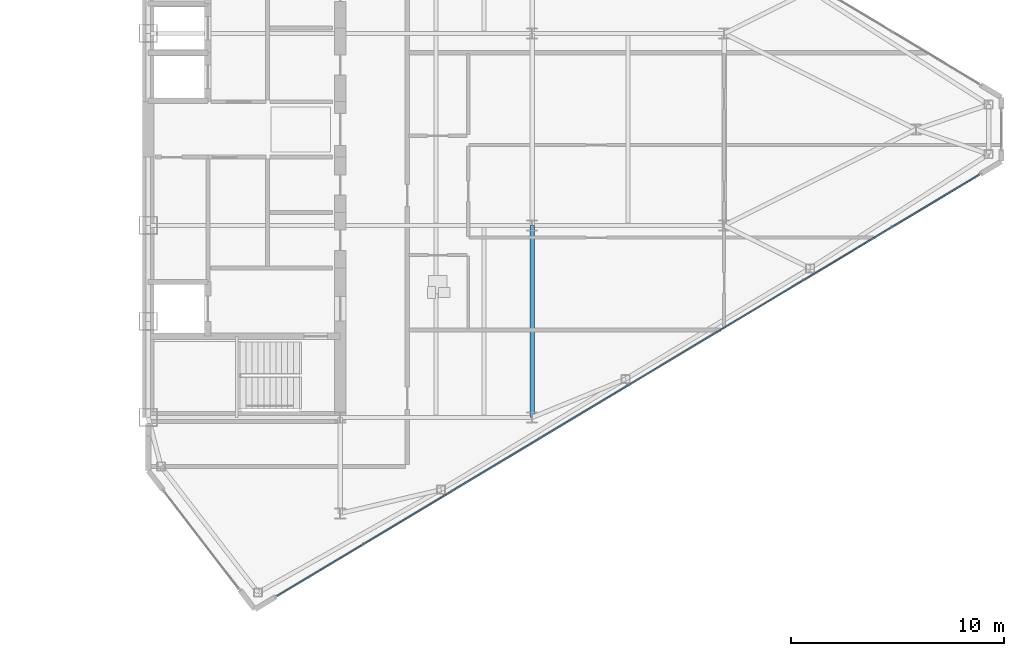
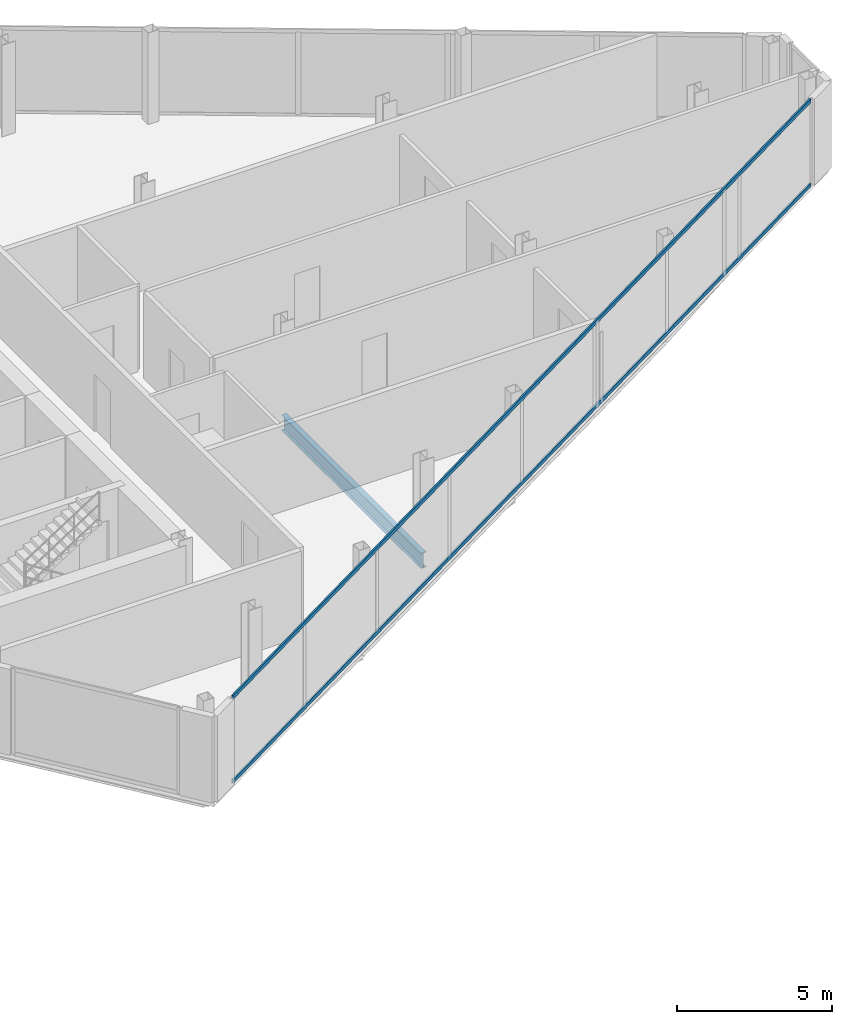
# One storey, part 12 of 25: 2 members, 1 beam, 1 element without a shape of its own.
"""IFC4 building model written with IfcOpenShell, lengths in metres."""

from ifc_helpers import new_model, si_unit, direction, frame, origin, origin_2d, place, context, subcontext, project, spatial, rectangle, i_section, extrude, source, transform, mapped, material, layer, layer_set, material_profile, profile_set, type_object, type_shapes, element, aggregate, save


model = new_model("IFC4")

# Units and contexts
model_context = context("Model", 3, precision=1e-05, world=origin(), true_north=direction((0.0, 1.0)))
body_context = subcontext(model_context, "Body", "Model", "MODEL_VIEW")
ifc_project = project(units=[si_unit("LENGTHUNIT", "METRE"), si_unit("AREAUNIT", "SQUARE_METRE"), si_unit("VOLUMEUNIT", "CUBIC_METRE"), si_unit("PLANEANGLEUNIT", "RADIAN"), si_unit("MASSUNIT", "GRAM", prefix="KILO")], contexts=[model_context])

# Site, building, storey
site_placement = place(None, origin())
site = spatial("IfcSite", under=ifc_project, at=site_placement, CompositionType="ELEMENT")
building_placement = place(site_placement, origin())
building = spatial("IfcBuilding", under=site, at=building_placement, Name="Seokmaru Belvedere", CompositionType="ELEMENT")
storey_placement = place(building_placement, frame((0.0, 0.0, 206.699951171875)))
storey = spatial("IfcBuildingStorey", under=building, at=storey_placement, Name="L55", CompositionType="ELEMENT", Elevation=206.699951171875)

# Beam
ifc_material_1 = material(Name="Steel SM355 (355 MPa)", Category="steel")
ifc_material_profile_1 = material_profile(ifc_material_1, i_section(OverallWidth=0.199951171875, OverallDepth=0.60009765625, WebThickness=0.010986328125, FlangeThickness=0.01708984375, at=origin_2d()), Name="H-600x200x11x17")
ifc_profile_set_1 = profile_set([ifc_material_profile_1], Name="Steel SM355 (355 MPa)")
beam_type = type_object("IfcBeamType", Name="Primary Floor Girder H-600", PredefinedType="BEAM", material=ifc_profile_set_1)
shared_shape_1 = source(origin(), body_context, "Body", "SweptSolid", [
    extrude(i_section(OverallWidth=0.199951171875, OverallDepth=0.60009765625, WebThickness=0.010986328125, FlangeThickness=0.01708984375, at=origin_2d()), origin(), (0.0, 0.0, 1.0), 9.0),
])
type_shapes(beam_type, [shared_shape_1])
beam_placement = place(storey_placement, frame((45.5, -13.5, -0.52001953125), z_axis=(0.0, 1.0, 0.0), x_axis=(-1.0, 0.0, 0.0)))
element("IfcBeam", 1, at=beam_placement, inside=storey, type_object=beam_type, Name="L55 E Interior Grid Girder 1", PredefinedType="BEAM", context=body_context, shape_type="MappedRepresentation", body=[
    mapped(shared_shape_1, transform((0.0, 0.0, 0.0), scale=1.0)),
])

# Curtain wall, members
ifc_material_2 = material(Name="Bronze Triple Insulating Glass", Category="glass")
ifc_layer = layer(ifc_material_2, 0.179931640625)
ifc_layer_set = layer_set([ifc_layer], Name="Bronze Triple Insulating Glass")
curtain_wall_type = type_object("IfcCurtainWallType", Name="High-Rise Wind-Corner Curtain Wall System CW-5", PredefinedType="NOTDEFINED", material=ifc_layer_set)
curtain_wall_placement = place(storey_placement, origin())
curtain_wall = element("IfcCurtainWall", 2, at=curtain_wall_placement, inside=storey, type_object=curtain_wall_type, Name="L55 Curtain Wall EF1", PredefinedType="NOTDEFINED")
ifc_material_3 = material(Name="Anodised Bronze Aluminium", Category="aluminium")
ifc_material_profile_2 = material_profile(ifc_material_3, rectangle(XDim=0.06494140625, YDim=0.14990234375, at=origin_2d()), Name="CW-T-65x150")
ifc_profile_set_2 = profile_set([ifc_material_profile_2], Name="Anodised Bronze Aluminium")
member_type = type_object("IfcMemberType", Name="Bronze Unitised Transom 65x150", PredefinedType="USERDEFINED", material=ifc_profile_set_2)
shared_shape_2 = source(origin(), body_context, "Body", "SweptSolid", [
    extrude(rectangle(XDim=0.06494140625, YDim=0.14990234375, at=origin_2d()), origin(), (0.0, 0.0, 1.0), 38.386962890625),
])
type_shapes(member_type, [shared_shape_2])
member_1_placement = place(storey_placement, frame((33.541748046875, -21.875, 0.032470703125), z_axis=(0.85749180336, 0.514497626011, 0.0), x_axis=(-0.514497626011, 0.85749180336, 0.0)))
member_1 = element("IfcMember", 3, at=member_1_placement, type_object=member_type, Name="CW:L55:EF1 Continuous Transom 1", ObjectType="TRANSOM", PredefinedType="USERDEFINED", context=body_context, shape_type="MappedRepresentation", body=[
    mapped(shared_shape_2, transform((0.0, 0.0, 0.0), scale=1.0)),
])
member_2_placement = place(storey_placement, frame((33.541748046875, -21.875, 3.34765625), z_axis=(0.85749180336, 0.514497626011, 0.0), x_axis=(-0.514497626011, 0.85749180336, 0.0)))
member_2 = element("IfcMember", 4, at=member_2_placement, type_object=member_type, Name="CW:L55:EF1 Continuous Transom 2", ObjectType="TRANSOM", PredefinedType="USERDEFINED", context=body_context, shape_type="MappedRepresentation", body=[
    mapped(shared_shape_2, transform((0.0, 0.0, 0.0), scale=1.0)),
])
aggregate(curtain_wall, [member_1, member_2])

save(model, "model.ifc")
